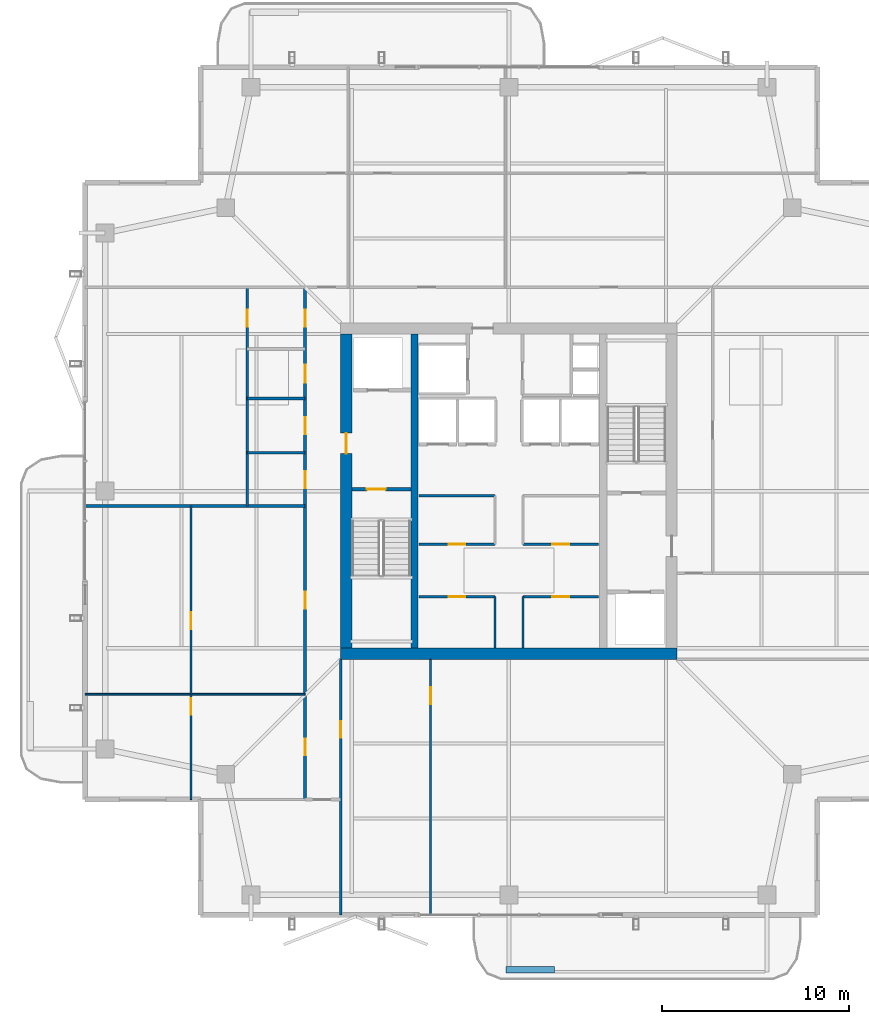
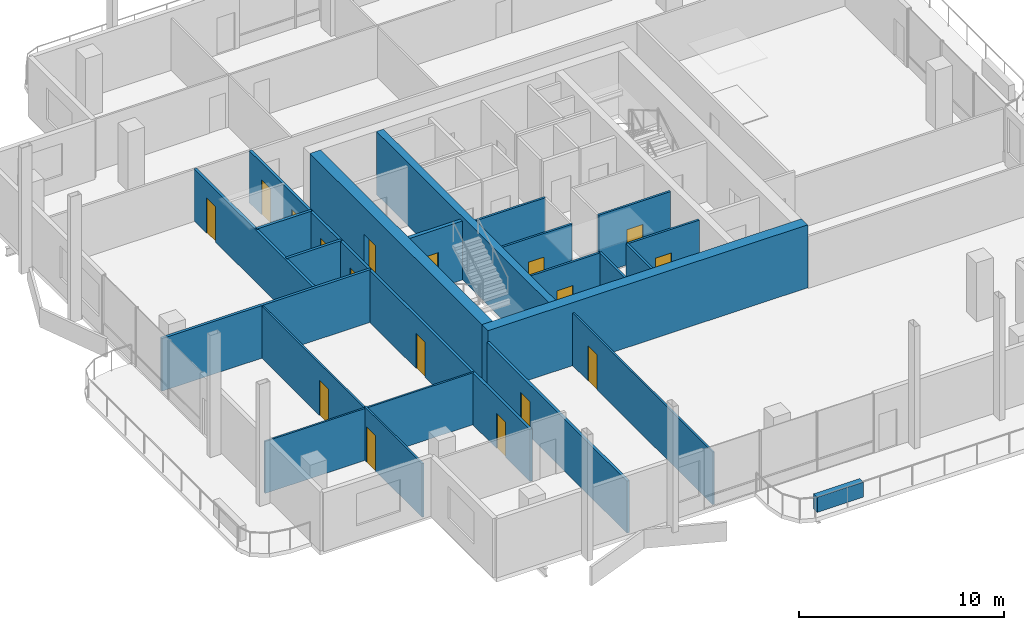
# One storey, part 14 of 20: 22 walls, 17 doors, 17 openings.
"""IFC4 building model written with IfcOpenShell, lengths in metres."""

from ifc_helpers import new_model, si_unit, direction, frame, frame_2d, origin, place, context, subcontext, project, spatial, rectangle, extrude, material, layer, layer_set, type_object, element, fill, save


model = new_model("IFC4")

# Units and contexts
model_context = context("Model", 3, precision=1e-05, world=origin(), true_north=direction((0.0, 1.0)))
body_context = subcontext(model_context, "Body", "Model", "MODEL_VIEW")
ifc_project = project(units=[si_unit("LENGTHUNIT", "METRE"), si_unit("AREAUNIT", "SQUARE_METRE"), si_unit("VOLUMEUNIT", "CUBIC_METRE"), si_unit("PLANEANGLEUNIT", "RADIAN"), si_unit("MASSUNIT", "GRAM", prefix="KILO")], contexts=[model_context])

# Site, building, storey
site_placement = place(None, origin())
site = spatial("IfcSite", under=ifc_project, at=site_placement, CompositionType="ELEMENT")
building_placement = place(site_placement, origin())
building = spatial("IfcBuilding", under=site, at=building_placement, Name="Belovzor Exchange Tower", CompositionType="ELEMENT")
storey_placement = place(building_placement, frame((0.0, 0.0, 299.25)))
storey = spatial("IfcBuildingStorey", under=building, at=storey_placement, Name="L74", CompositionType="ELEMENT", Elevation=299.25)

# Wall, opening, door
ifc_material_1 = material(Name="Acoustic Laminated Glass and Aluminium", Category="aluminium")
ifc_layer_1 = layer(ifc_material_1, 0.10009765625)
ifc_layer_set_1 = layer_set([ifc_layer_1], Name="Acoustic Laminated Glass and Aluminium")
wall_type_1 = type_object("IfcWallType", Name="Demountable Executive Glass Partition 100", PredefinedType="MOVABLE", material=ifc_layer_set_1)
wall_1_placement = place(storey_placement, frame((11.797119140625, 12.300048828125, 0.0), z_axis=(0.0, 0.0, 1.0), x_axis=(0.0, 1.0, 0.0)))
wall_1 = element("IfcWall", 1, at=wall_1_placement, inside=storey, type_object=wall_type_1, Name="W-M100 Partition Wall W-L74-WHDIV-0", PredefinedType="MOVABLE", context=body_context, shape_type="SweptSolid", body=[
    extrude(rectangle(XDim=5.6298828125, YDim=0.10009765625, at=frame_2d((2.81494140625, 0.0))), origin(), (0.0, 0.0, 1.0), 3.195068359375),
])
opening_1_placement = place(wall_1_placement, frame((4.530029296875, 0.0, 0.0)))
opening_1 = element("IfcOpeningElement", 2, at=opening_1_placement, cuts=wall_1, Name="Opening D-INT-090", PredefinedType="OPENING", context=body_context, shape_type="SweptSolid", body=[
    extrude(rectangle(XDim=0.89990234375, YDim=2.10009765625, at=frame_2d((0.449951171875, 1.050048828125))), frame((0.0, 0.06005859375, 0.0), z_axis=(0.0, -1.0, 0.0), x_axis=(1.0, 0.0, 0.0)), (0.0, 0.0, 1.0), 0.1201171875),
])
ifc_material_2 = material(Name="Veneered Hardwood Acoustic Leaf", Category="wood")
door_type_1 = type_object("IfcDoorType", Name="Trading Suite Acoustic Single Door 900x2100", OperationType="NOTDEFINED", PredefinedType="DOOR", material=ifc_material_2)
door_1_placement = place(opening_1_placement, origin())
door_1 = element("IfcDoor", 3, at=door_1_placement, inside=storey, type_object=door_type_1, Name="D-INT-090 Trading Suite Acoustic Single Door 900x2100", OperationType="SINGLE_SWING_LEFT", OverallHeight=2.10009765625, OverallWidth=0.89990234375, PredefinedType="DOOR", context=body_context, shape_type="SweptSolid", body=[
    extrude(rectangle(XDim=0.89990234375, YDim=2.10009765625, at=frame_2d((0.449951171875, 1.050048828125))), frame((0.0, 0.02490234375, 0.0), z_axis=(0.0, -1.0, 0.0), x_axis=(1.0, 0.0, 0.0)), (0.0, 0.0, 1.0), 0.050048828125),
])
fill(opening_1, door_1)

# Wall
wall_2_placement = place(storey_placement, frame((6.1298828125, 17.929931640625, 0.0), z_axis=(0.0, 0.0, 1.0), x_axis=(1.0, 0.0, 0.0)))
element("IfcWall", 4, at=wall_2_placement, inside=storey, type_object=wall_type_1, Name="W-M100 Partition Wall W-L74-WDIV-1", PredefinedType="MOVABLE", context=body_context, shape_type="SweptSolid", body=[
    extrude(rectangle(XDim=11.77001953125, YDim=0.10009765625, at=frame_2d((5.885009765625, 0.0))), origin(), (0.0, 0.0, 1.0), 3.094970703125),
])

# Wall, opening, door
wall_3_placement = place(storey_placement, frame((11.797119140625, 17.929931640625, 0.0), z_axis=(0.0, 0.0, 1.0), x_axis=(0.0, 1.0, 0.0)))
wall_3 = element("IfcWall", 5, at=wall_3_placement, inside=storey, type_object=wall_type_1, Name="W-M100 Partition Wall W-L74-WHDIV-1", PredefinedType="MOVABLE", context=body_context, shape_type="SweptSolid", body=[
    extrude(rectangle(XDim=10.070068359375, YDim=0.10009765625, at=frame_2d((5.03515625, 0.0))), origin(), (0.0, 0.0, 1.0), 3.094970703125),
])
opening_2_placement = place(wall_3_placement, frame((3.489013671875, 0.0, 0.0)))
opening_2 = element("IfcOpeningElement", 6, at=opening_2_placement, cuts=wall_3, Name="Opening D-INT-090", PredefinedType="OPENING", context=body_context, shape_type="SweptSolid", body=[
    extrude(rectangle(XDim=0.89990234375, YDim=2.10009765625, at=frame_2d((0.449951171875, 1.050048828125))), frame((0.0, 0.06005859375, 0.0), z_axis=(0.0, -1.0, 0.0), x_axis=(1.0, 0.0, 0.0)), (0.0, 0.0, 1.0), 0.1201171875),
])
door_2_placement = place(opening_2_placement, origin())
door_2 = element("IfcDoor", 7, at=door_2_placement, inside=storey, type_object=door_type_1, Name="D-INT-090 Trading Suite Acoustic Single Door 900x2100", OperationType="SINGLE_SWING_LEFT", OverallHeight=2.10009765625, OverallWidth=0.89990234375, PredefinedType="DOOR", context=body_context, shape_type="SweptSolid", body=[
    extrude(rectangle(XDim=0.89990234375, YDim=2.10009765625, at=frame_2d((0.449951171875, 1.050048828125))), frame((0.0, 0.02490234375, 0.0), z_axis=(0.0, -1.0, 0.0), x_axis=(1.0, 0.0, 0.0)), (0.0, 0.0, 1.0), 0.050048828125),
])
fill(opening_2, door_2)

wall_4_placement = place(storey_placement, frame((24.60791015625, 6.1298828125, 0.0), z_axis=(0.0, 0.0, 1.0), x_axis=(0.0, 1.0, 0.0)))
wall_4 = element("IfcWall", 8, at=wall_4_placement, inside=storey, type_object=wall_type_1, Name="W-M100 Partition Wall W-L74-SDIV-1", PredefinedType="MOVABLE", context=body_context, shape_type="SweptSolid", body=[
    extrude(rectangle(XDim=13.670166015625, YDim=0.10009765625, at=frame_2d((6.8349609375, 0.0))), origin(), (0.0, 0.0, 1.0), 3.135009765625),
])
opening_3_placement = place(wall_4_placement, frame((11.27001953125, 0.0, 0.0)))
opening_3 = element("IfcOpeningElement", 9, at=opening_3_placement, cuts=wall_4, Name="Opening D-INT-090", PredefinedType="OPENING", context=body_context, shape_type="SweptSolid", body=[
    extrude(rectangle(XDim=0.89990234375, YDim=2.10009765625, at=frame_2d((0.449951171875, 1.050048828125))), frame((0.0, 0.06005859375, 0.0), z_axis=(0.0, -1.0, 0.0), x_axis=(1.0, 0.0, 0.0)), (0.0, 0.0, 1.0), 0.1201171875),
])
door_3_placement = place(opening_3_placement, origin())
door_3 = element("IfcDoor", 10, at=door_3_placement, inside=storey, type_object=door_type_1, Name="D-INT-090 Trading Suite Acoustic Single Door 900x2100", OperationType="SINGLE_SWING_LEFT", OverallHeight=2.10009765625, OverallWidth=0.89990234375, PredefinedType="DOOR", context=body_context, shape_type="SweptSolid", body=[
    extrude(rectangle(XDim=0.89990234375, YDim=2.10009765625, at=frame_2d((0.449951171875, 1.050048828125))), frame((0.0, 0.02490234375, 0.0), z_axis=(0.0, -1.0, 0.0), x_axis=(1.0, 0.0, 0.0)), (0.0, 0.0, 1.0), 0.050048828125),
])
fill(opening_3, door_3)

ifc_material_3 = material(Name="Fire-Rated Plasterboard on Galvanised Studs", Category="gypsum")
ifc_layer_2 = layer(ifc_material_3, 0.1201171875)
ifc_layer_set_2 = layer_set([ifc_layer_2], Name="Fire-Rated Plasterboard on Galvanised Studs")
wall_type_2 = type_object("IfcWallType", Name="Fire-Rated Double-Stud Partition Wall 120", PredefinedType="PARTITIONING", material=ifc_layer_set_2)
wall_5_placement = place(storey_placement, frame((24.0, 23.14990234375, 0.0), z_axis=(0.0, 0.0, 1.0), x_axis=(1.0, 0.0, 0.0)))
wall_5 = element("IfcWall", 11, at=wall_5_placement, inside=storey, type_object=wall_type_2, Name="W-P120F Partition Wall W-CRL-L74-WN", PredefinedType="PARTITIONING", context=body_context, shape_type="SweptSolid", body=[
    extrude(rectangle(XDim=4.050048828125, YDim=0.1201171875, at=frame_2d((2.02490234375, 0.0))), origin(), (0.0, 0.0, 1.0), 3.510009765625),
])
opening_4_placement = place(wall_5_placement, frame((1.574951171875, 0.0, 0.0)))
opening_4 = element("IfcOpeningElement", 12, at=opening_4_placement, cuts=wall_5, Name="Opening D-FD60-090", PredefinedType="OPENING", context=body_context, shape_type="SweptSolid", body=[
    extrude(rectangle(XDim=0.89990234375, YDim=2.10009765625, at=frame_2d((0.449951171875, 1.050048828125))), frame((0.0, 0.070068359375, 0.0), z_axis=(0.0, -1.0, 0.0), x_axis=(1.0, 0.0, 0.0)), (0.0, 0.0, 1.0), 0.14013671875),
])
ifc_material_4 = material(Name="Acoustic Timber Fire Leaf", Category="wood")
door_type_2 = type_object("IfcDoorType", Name="Core Service & Restroom Fire Door 900x2100", OperationType="NOTDEFINED", PredefinedType="DOOR", material=ifc_material_4)
door_4_placement = place(opening_4_placement, origin())
door_4 = element("IfcDoor", 13, at=door_4_placement, inside=storey, type_object=door_type_2, Name="D-FD60-090 Core Service & Restroom Fire Door 900x2100", OperationType="SINGLE_SWING_LEFT", OverallHeight=2.10009765625, OverallWidth=0.89990234375, PredefinedType="DOOR", context=body_context, shape_type="SweptSolid", body=[
    extrude(rectangle(XDim=0.89990234375, YDim=2.10009765625, at=frame_2d((0.449951171875, 1.050048828125))), frame((0.0, 0.02490234375, 0.0), z_axis=(0.0, -1.0, 0.0), x_axis=(1.0, 0.0, 0.0)), (0.0, 0.0, 1.0), 0.050048828125),
])
fill(opening_4, door_4)

# Wall
wall_6_placement = place(storey_placement, frame((28.050048828125, 20.39990234375, 0.0), z_axis=(0.0, 0.0, 1.0), x_axis=(0.0, 1.0, 0.0)))
element("IfcWall", 14, at=wall_6_placement, inside=storey, type_object=wall_type_2, Name="W-P120F Partition Wall W-CRL-L74-WE", PredefinedType="PARTITIONING", context=body_context, shape_type="SweptSolid", body=[
    extrude(rectangle(XDim=2.75, YDim=0.1201171875, at=frame_2d((1.375, 0.0))), origin(), (0.0, 0.0, 1.0), 3.510009765625),
])

# Wall, opening, door
wall_7_placement = place(storey_placement, frame((29.550048828125, 23.14990234375, 0.0), z_axis=(0.0, 0.0, 1.0), x_axis=(1.0, 0.0, 0.0)))
wall_7 = element("IfcWall", 15, at=wall_7_placement, inside=storey, type_object=wall_type_2, Name="W-P120F Partition Wall W-CRL-L74-EN", PredefinedType="PARTITIONING", context=body_context, shape_type="SweptSolid", body=[
    extrude(rectangle(XDim=4.050048828125, YDim=0.1201171875, at=frame_2d((2.02490234375, 0.0))), origin(), (0.0, 0.0, 1.0), 3.510009765625),
])
opening_5_placement = place(wall_7_placement, frame((1.574951171875, 0.0, 0.0)))
opening_5 = element("IfcOpeningElement", 16, at=opening_5_placement, cuts=wall_7, Name="Opening D-FD60-090", PredefinedType="OPENING", context=body_context, shape_type="SweptSolid", body=[
    extrude(rectangle(XDim=0.89990234375, YDim=2.10009765625, at=frame_2d((0.449951171875, 1.050048828125))), frame((0.0, 0.070068359375, 0.0), z_axis=(0.0, -1.0, 0.0), x_axis=(1.0, 0.0, 0.0)), (0.0, 0.0, 1.0), 0.14013671875),
])
door_5_placement = place(opening_5_placement, origin())
door_5 = element("IfcDoor", 17, at=door_5_placement, inside=storey, type_object=door_type_2, Name="D-FD60-090 Core Service & Restroom Fire Door 900x2100", OperationType="SINGLE_SWING_RIGHT", OverallHeight=2.10009765625, OverallWidth=0.89990234375, PredefinedType="DOOR", context=body_context, shape_type="SweptSolid", body=[
    extrude(rectangle(XDim=0.89990234375, YDim=2.10009765625, at=frame_2d((0.449951171875, 1.050048828125))), frame((0.0, 0.02490234375, 0.0), z_axis=(0.0, -1.0, 0.0), x_axis=(1.0, 0.0, 0.0)), (0.0, 0.0, 1.0), 0.050048828125),
])
fill(opening_5, door_5)

# Wall
wall_8_placement = place(storey_placement, frame((29.550048828125, 20.39990234375, 0.0), z_axis=(0.0, 0.0, 1.0), x_axis=(0.0, 1.0, 0.0)))
element("IfcWall", 18, at=wall_8_placement, inside=storey, type_object=wall_type_2, Name="W-P120F Partition Wall W-CRL-L74-EW", PredefinedType="PARTITIONING", context=body_context, shape_type="SweptSolid", body=[
    extrude(rectangle(XDim=2.75, YDim=0.1201171875, at=frame_2d((1.375, 0.0))), origin(), (0.0, 0.0, 1.0), 3.510009765625),
])

# Wall, opening, door
wall_9_placement = place(storey_placement, frame((24.0, 25.949951171875, 0.0), z_axis=(0.0, 0.0, 1.0), x_axis=(1.0, 0.0, 0.0)))
wall_9 = element("IfcWall", 19, at=wall_9_placement, inside=storey, type_object=wall_type_2, Name="W-P120F Partition Wall W-CRM-L74-WS", PredefinedType="PARTITIONING", context=body_context, shape_type="SweptSolid", body=[
    extrude(rectangle(XDim=4.050048828125, YDim=0.1201171875, at=frame_2d((2.02490234375, 0.0))), origin(), (0.0, 0.0, 1.0), 3.510009765625),
])
opening_6_placement = place(wall_9_placement, frame((1.574951171875, 0.0, 0.0)))
opening_6 = element("IfcOpeningElement", 20, at=opening_6_placement, cuts=wall_9, Name="Opening D-FD60-090", PredefinedType="OPENING", context=body_context, shape_type="SweptSolid", body=[
    extrude(rectangle(XDim=0.89990234375, YDim=2.10009765625, at=frame_2d((0.449951171875, 1.050048828125))), frame((0.0, 0.070068359375, 0.0), z_axis=(0.0, -1.0, 0.0), x_axis=(1.0, 0.0, 0.0)), (0.0, 0.0, 1.0), 0.14013671875),
])
door_6_placement = place(opening_6_placement, origin())
door_6 = element("IfcDoor", 21, at=door_6_placement, inside=storey, type_object=door_type_2, Name="D-FD60-090 Core Service & Restroom Fire Door 900x2100", OperationType="SINGLE_SWING_LEFT", OverallHeight=2.10009765625, OverallWidth=0.89990234375, PredefinedType="DOOR", context=body_context, shape_type="SweptSolid", body=[
    extrude(rectangle(XDim=0.89990234375, YDim=2.10009765625, at=frame_2d((0.449951171875, 1.050048828125))), frame((0.0, 0.02490234375, 0.0), z_axis=(0.0, -1.0, 0.0), x_axis=(1.0, 0.0, 0.0)), (0.0, 0.0, 1.0), 0.050048828125),
])
fill(opening_6, door_6)

# Wall
wall_10_placement = place(storey_placement, frame((24.0, 28.550048828125, 0.0), z_axis=(0.0, 0.0, 1.0), x_axis=(1.0, 0.0, 0.0)))
element("IfcWall", 22, at=wall_10_placement, inside=storey, type_object=wall_type_2, Name="W-P120F Partition Wall W-CRM-L74-WN", PredefinedType="PARTITIONING", context=body_context, shape_type="SweptSolid", body=[
    extrude(rectangle(XDim=4.050048828125, YDim=0.1201171875, at=frame_2d((2.02490234375, 0.0))), origin(), (0.0, 0.0, 1.0), 3.510009765625),
])

# Wall, opening, door
wall_11_placement = place(storey_placement, frame((29.550048828125, 25.949951171875, 0.0), z_axis=(0.0, 0.0, 1.0), x_axis=(1.0, 0.0, 0.0)))
wall_11 = element("IfcWall", 23, at=wall_11_placement, inside=storey, type_object=wall_type_2, Name="W-P120F Partition Wall W-CRM-L74-ES", PredefinedType="PARTITIONING", context=body_context, shape_type="SweptSolid", body=[
    extrude(rectangle(XDim=4.050048828125, YDim=0.1201171875, at=frame_2d((2.02490234375, 0.0))), origin(), (0.0, 0.0, 1.0), 3.510009765625),
])
opening_7_placement = place(wall_11_placement, frame((1.574951171875, 0.0, 0.0)))
opening_7 = element("IfcOpeningElement", 24, at=opening_7_placement, cuts=wall_11, Name="Opening D-FD60-090", PredefinedType="OPENING", context=body_context, shape_type="SweptSolid", body=[
    extrude(rectangle(XDim=0.89990234375, YDim=2.10009765625, at=frame_2d((0.449951171875, 1.050048828125))), frame((0.0, 0.070068359375, 0.0), z_axis=(0.0, -1.0, 0.0), x_axis=(1.0, 0.0, 0.0)), (0.0, 0.0, 1.0), 0.14013671875),
])
door_7_placement = place(opening_7_placement, origin())
door_7 = element("IfcDoor", 25, at=door_7_placement, inside=storey, type_object=door_type_2, Name="D-FD60-090 Core Service & Restroom Fire Door 900x2100", OperationType="SINGLE_SWING_RIGHT", OverallHeight=2.10009765625, OverallWidth=0.89990234375, PredefinedType="DOOR", context=body_context, shape_type="SweptSolid", body=[
    extrude(rectangle(XDim=0.89990234375, YDim=2.10009765625, at=frame_2d((0.449951171875, 1.050048828125))), frame((0.0, 0.02490234375, 0.0), z_axis=(0.0, -1.0, 0.0), x_axis=(1.0, 0.0, 0.0)), (0.0, 0.0, 1.0), 0.050048828125),
])
fill(opening_7, door_7)

ifc_material_5 = material(Name="Fire-Rated Gypsum Block and Mineral Wool", Category="gypsum")
ifc_layer_3 = layer(ifc_material_5, 0.14990234375)
ifc_layer_set_3 = layer_set([ifc_layer_3], Name="Fire-Rated Gypsum Block and Mineral Wool")
wall_type_3 = type_object("IfcWallType", Name="Fire-Rated Gypsum Block Corridor Wall 150", PredefinedType="PARTITIONING", material=ifc_layer_set_3)
wall_12_placement = place(storey_placement, frame((14.800048828125, 28.0, 0.0), z_axis=(0.0, 0.0, 1.0), x_axis=(0.0, 1.0, 0.0)))
wall_12 = element("IfcWall", 26, at=wall_12_placement, inside=storey, type_object=wall_type_3, Name="W-P150 Partition Wall W-L74-WCW", PredefinedType="PARTITIONING", context=body_context, shape_type="SweptSolid", body=[
    extrude(rectangle(XDim=11.699951171875, YDim=0.14990234375, at=frame_2d((5.85009765625, 0.0))), origin(), (0.0, 0.0, 1.0), 3.094970703125),
])
opening_8_placement = place(wall_12_placement, frame((9.60009765625, 0.0, 0.0)))
opening_8 = element("IfcOpeningElement", 27, at=opening_8_placement, cuts=wall_12, Name="Opening D-INT-090", PredefinedType="OPENING", context=body_context, shape_type="SweptSolid", body=[
    extrude(rectangle(XDim=0.89990234375, YDim=2.10009765625, at=frame_2d((0.449951171875, 1.050048828125))), frame((0.0, 0.0849609375, 0.0), z_axis=(0.0, -1.0, 0.0), x_axis=(1.0, 0.0, 0.0)), (0.0, 0.0, 1.0), 0.169921875),
])
door_8_placement = place(opening_8_placement, origin())
door_8 = element("IfcDoor", 28, at=door_8_placement, inside=storey, type_object=door_type_1, Name="D-INT-090 Trading Suite Acoustic Single Door 900x2100", OperationType="SINGLE_SWING_LEFT", OverallHeight=2.10009765625, OverallWidth=0.89990234375, PredefinedType="DOOR", context=body_context, shape_type="SweptSolid", body=[
    extrude(rectangle(XDim=0.89990234375, YDim=2.10009765625, at=frame_2d((0.449951171875, 1.050048828125))), frame((0.0, 0.02490234375, 0.0), z_axis=(0.0, -1.0, 0.0), x_axis=(1.0, 0.0, 0.0)), (0.0, 0.0, 1.0), 0.050048828125),
])
fill(opening_8, door_8)

# Walls
wall_13_placement = place(storey_placement, frame((6.1298828125, 28.0, 0.0), z_axis=(0.0, 0.0, 1.0), x_axis=(1.0, 0.0, 0.0)))
element("IfcWall", 29, at=wall_13_placement, inside=storey, type_object=wall_type_3, Name="W-P150 Partition Wall W-L74-WCS", PredefinedType="PARTITIONING", context=body_context, shape_type="SweptSolid", body=[
    extrude(rectangle(XDim=11.77001953125, YDim=0.14990234375, at=frame_2d((5.885009765625, 0.0))), origin(), (0.0, 0.0, 1.0), 3.135009765625),
])
for number, where, z_axis, x_axis, name in (
    (30, (14.800048828125, 30.85009765625, 0.0), (0.0, 0.0, 1.0), (1.0, 0.0, 0.0), "W-P150 Partition Wall W-L74-WCD1"),
    (31, (14.800048828125, 33.75, 0.0), (0.0, 0.0, 1.0), (1.0, 0.0, 0.0), "W-P150 Partition Wall W-L74-WCD2"),
):
    element("IfcWall", number, at=place(storey_placement, frame(where, z_axis=z_axis, x_axis=x_axis)), inside=storey, type_object=wall_type_3, Name=name, PredefinedType="PARTITIONING", context=body_context, shape_type="SweptSolid", body=[
        extrude(rectangle(XDim=3.099853515625, YDim=0.14990234375, at=frame_2d((1.5498046875, 0.0))), origin(), (0.0, 0.0, 1.0), 3.135009765625),
    ])

# Wall, opening, door
wall_14_placement = place(storey_placement, frame((19.800048828125, 6.1298828125, 0.0), z_axis=(0.0, 0.0, 1.0), x_axis=(0.0, 1.0, 0.0)))
wall_14 = element("IfcWall", 32, at=wall_14_placement, inside=storey, type_object=wall_type_3, Name="W-P150 Partition Wall W-L74-CW-E", PredefinedType="PARTITIONING", context=body_context, shape_type="SweptSolid", body=[
    extrude(rectangle(XDim=13.670166015625, YDim=0.14990234375, at=frame_2d((6.8349609375, 0.0))), origin(), (0.0, 0.0, 1.0), 3.094970703125),
])
opening_9_placement = place(wall_14_placement, frame((9.469970703125, 0.0, 0.0)))
opening_9 = element("IfcOpeningElement", 33, at=opening_9_placement, cuts=wall_14, Name="Opening D-FD60-090", PredefinedType="OPENING", context=body_context, shape_type="SweptSolid", body=[
    extrude(rectangle(XDim=0.89990234375, YDim=2.10009765625, at=frame_2d((0.449951171875, 1.050048828125))), frame((0.0, 0.0849609375, 0.0), z_axis=(0.0, -1.0, 0.0), x_axis=(1.0, 0.0, 0.0)), (0.0, 0.0, 1.0), 0.169921875),
])
door_9_placement = place(opening_9_placement, origin())
door_9 = element("IfcDoor", 34, at=door_9_placement, inside=storey, type_object=door_type_2, Name="D-FD60-090 Core Service & Restroom Fire Door 900x2100", OperationType="SINGLE_SWING_RIGHT", OverallHeight=2.10009765625, OverallWidth=0.89990234375, PredefinedType="DOOR", context=body_context, shape_type="SweptSolid", body=[
    extrude(rectangle(XDim=0.89990234375, YDim=2.10009765625, at=frame_2d((0.449951171875, 1.050048828125))), frame((0.0, 0.02490234375, 0.0), z_axis=(0.0, -1.0, 0.0), x_axis=(1.0, 0.0, 0.0)), (0.0, 0.0, 1.0), 0.050048828125),
])
fill(opening_9, door_9)

# Wall, openings, doors
wall_15_placement = place(storey_placement, frame((17.89990234375, 12.300048828125, 0.0), z_axis=(0.0, 0.0, 1.0), x_axis=(0.0, 1.0, 0.0)))
wall_15 = element("IfcWall", 35, at=wall_15_placement, inside=storey, type_object=wall_type_3, Name="W-P150 Partition Wall W-L74-CW", PredefinedType="PARTITIONING", context=body_context, shape_type="SweptSolid", body=[
    extrude(rectangle(XDim=27.39990234375, YDim=0.14990234375, at=frame_2d((13.699951171875, 0.0))), origin(), (0.0, 0.0, 1.0), 3.094970703125),
])
opening_10_placement = place(wall_15_placement, frame((2.364990234375, 0.0, 0.0)))
opening_10 = element("IfcOpeningElement", 36, at=opening_10_placement, cuts=wall_15, Name="Opening D-INT-090", PredefinedType="OPENING", context=body_context, shape_type="SweptSolid", body=[
    extrude(rectangle(XDim=0.89990234375, YDim=2.10009765625, at=frame_2d((0.449951171875, 1.050048828125))), frame((0.0, 0.0849609375, 0.0), z_axis=(0.0, -1.0, 0.0), x_axis=(1.0, 0.0, 0.0)), (0.0, 0.0, 1.0), 0.169921875),
])
opening_11_placement = place(wall_15_placement, frame((10.215087890625, 0.0, 0.0)))
opening_11 = element("IfcOpeningElement", 37, at=opening_11_placement, cuts=wall_15, Name="Opening D-INT-090", PredefinedType="OPENING", context=body_context, shape_type="SweptSolid", body=[
    extrude(rectangle(XDim=0.89990234375, YDim=2.10009765625, at=frame_2d((0.449951171875, 1.050048828125))), frame((0.0, 0.0849609375, 0.0), z_axis=(0.0, -1.0, 0.0), x_axis=(1.0, 0.0, 0.0)), (0.0, 0.0, 1.0), 0.169921875),
])
opening_12_placement = place(wall_15_placement, frame((16.64990234375, 0.0, 0.0)))
opening_12 = element("IfcOpeningElement", 38, at=opening_12_placement, cuts=wall_15, Name="Opening D-FD60-090", PredefinedType="OPENING", context=body_context, shape_type="SweptSolid", body=[
    extrude(rectangle(XDim=0.89990234375, YDim=2.10009765625, at=frame_2d((0.449951171875, 1.050048828125))), frame((0.0, 0.0849609375, 0.0), z_axis=(0.0, -1.0, 0.0), x_axis=(1.0, 0.0, 0.0)), (0.0, 0.0, 1.0), 0.169921875),
])
opening_13_placement = place(wall_15_placement, frame((19.550048828125, 0.0, 0.0)))
opening_13 = element("IfcOpeningElement", 39, at=opening_13_placement, cuts=wall_15, Name="Opening D-FD60-090", PredefinedType="OPENING", context=body_context, shape_type="SweptSolid", body=[
    extrude(rectangle(XDim=0.89990234375, YDim=2.10009765625, at=frame_2d((0.449951171875, 1.050048828125))), frame((0.0, 0.0849609375, 0.0), z_axis=(0.0, -1.0, 0.0), x_axis=(1.0, 0.0, 0.0)), (0.0, 0.0, 1.0), 0.169921875),
])
opening_14_placement = place(wall_15_placement, frame((22.300048828125, 0.0, 0.0)))
opening_14 = element("IfcOpeningElement", 40, at=opening_14_placement, cuts=wall_15, Name="Opening D-FD60-095", PredefinedType="OPENING", context=body_context, shape_type="SweptSolid", body=[
    extrude(rectangle(XDim=0.949951171875, YDim=2.10009765625, at=frame_2d((0.47509765625, 1.050048828125))), frame((0.0, 0.0849609375, 0.0), z_axis=(0.0, -1.0, 0.0), x_axis=(1.0, 0.0, 0.0)), (0.0, 0.0, 1.0), 0.169921875),
])
opening_15_placement = place(wall_15_placement, frame((25.300048828125, 0.0, 0.0)))
opening_15 = element("IfcOpeningElement", 41, at=opening_15_placement, cuts=wall_15, Name="Opening D-FD60-090", PredefinedType="OPENING", context=body_context, shape_type="SweptSolid", body=[
    extrude(rectangle(XDim=0.89990234375, YDim=2.10009765625, at=frame_2d((0.449951171875, 1.050048828125))), frame((0.0, 0.0849609375, 0.0), z_axis=(0.0, -1.0, 0.0), x_axis=(1.0, 0.0, 0.0)), (0.0, 0.0, 1.0), 0.169921875),
])
ifc_material_6 = material(Name="Moisture-Resistant Timber Fire Leaf", Category="wood")
door_type_3 = type_object("IfcDoorType", Name="Accessible Restroom Wide Fire Door 950x2100", OperationType="NOTDEFINED", PredefinedType="DOOR", material=ifc_material_6)
door_10_placement = place(opening_14_placement, origin())
door_10 = element("IfcDoor", 42, at=door_10_placement, inside=storey, type_object=door_type_3, Name="D-FD60-095 Accessible Restroom Wide Fire Door 950x2100", OperationType="SINGLE_SWING_LEFT", OverallHeight=2.10009765625, OverallWidth=0.949951171875, PredefinedType="DOOR", context=body_context, shape_type="SweptSolid", body=[
    extrude(rectangle(XDim=0.949951171875, YDim=2.10009765625, at=frame_2d((0.47509765625, 1.050048828125))), frame((0.0, 0.02490234375, 0.0), z_axis=(0.0, -1.0, 0.0), x_axis=(1.0, 0.0, 0.0)), (0.0, 0.0, 1.0), 0.050048828125),
])
fill(opening_14, door_10)
door_11_placement = place(opening_12_placement, origin())
door_11 = element("IfcDoor", 43, at=door_11_placement, inside=storey, type_object=door_type_2, Name="D-FD60-090 Core Service & Restroom Fire Door 900x2100", OperationType="SINGLE_SWING_LEFT", OverallHeight=2.10009765625, OverallWidth=0.89990234375, PredefinedType="DOOR", context=body_context, shape_type="SweptSolid", body=[
    extrude(rectangle(XDim=0.89990234375, YDim=2.10009765625, at=frame_2d((0.449951171875, 1.050048828125))), frame((0.0, 0.02490234375, 0.0), z_axis=(0.0, -1.0, 0.0), x_axis=(1.0, 0.0, 0.0)), (0.0, 0.0, 1.0), 0.050048828125),
])
fill(opening_12, door_11)
door_12_placement = place(opening_13_placement, origin())
door_12 = element("IfcDoor", 44, at=door_12_placement, inside=storey, type_object=door_type_2, Name="D-FD60-090 Core Service & Restroom Fire Door 900x2100", OperationType="SINGLE_SWING_RIGHT", OverallHeight=2.10009765625, OverallWidth=0.89990234375, PredefinedType="DOOR", context=body_context, shape_type="SweptSolid", body=[
    extrude(rectangle(XDim=0.89990234375, YDim=2.10009765625, at=frame_2d((0.449951171875, 1.050048828125))), frame((0.0, 0.02490234375, 0.0), z_axis=(0.0, -1.0, 0.0), x_axis=(1.0, 0.0, 0.0)), (0.0, 0.0, 1.0), 0.050048828125),
])
fill(opening_13, door_12)
door_13_placement = place(opening_15_placement, origin())
door_13 = element("IfcDoor", 45, at=door_13_placement, inside=storey, type_object=door_type_2, Name="D-FD60-090 Core Service & Restroom Fire Door 900x2100", OperationType="SINGLE_SWING_LEFT", OverallHeight=2.10009765625, OverallWidth=0.89990234375, PredefinedType="DOOR", context=body_context, shape_type="SweptSolid", body=[
    extrude(rectangle(XDim=0.89990234375, YDim=2.10009765625, at=frame_2d((0.449951171875, 1.050048828125))), frame((0.0, 0.02490234375, 0.0), z_axis=(0.0, -1.0, 0.0), x_axis=(1.0, 0.0, 0.0)), (0.0, 0.0, 1.0), 0.050048828125),
])
fill(opening_15, door_13)
door_14_placement = place(opening_10_placement, origin())
door_14 = element("IfcDoor", 46, at=door_14_placement, inside=storey, type_object=door_type_1, Name="D-INT-090 Trading Suite Acoustic Single Door 900x2100", OperationType="SINGLE_SWING_LEFT", OverallHeight=2.10009765625, OverallWidth=0.89990234375, PredefinedType="DOOR", context=body_context, shape_type="SweptSolid", body=[
    extrude(rectangle(XDim=0.89990234375, YDim=2.10009765625, at=frame_2d((0.449951171875, 1.050048828125))), frame((0.0, 0.02490234375, 0.0), z_axis=(0.0, -1.0, 0.0), x_axis=(1.0, 0.0, 0.0)), (0.0, 0.0, 1.0), 0.050048828125),
])
fill(opening_10, door_14)
door_15_placement = place(opening_11_placement, origin())
door_15 = element("IfcDoor", 47, at=door_15_placement, inside=storey, type_object=door_type_1, Name="D-INT-090 Trading Suite Acoustic Single Door 900x2100", OperationType="SINGLE_SWING_RIGHT", OverallHeight=2.10009765625, OverallWidth=0.89990234375, PredefinedType="DOOR", context=body_context, shape_type="SweptSolid", body=[
    extrude(rectangle(XDim=0.89990234375, YDim=2.10009765625, at=frame_2d((0.449951171875, 1.050048828125))), frame((0.0, 0.02490234375, 0.0), z_axis=(0.0, -1.0, 0.0), x_axis=(1.0, 0.0, 0.0)), (0.0, 0.0, 1.0), 0.050048828125),
])
fill(opening_11, door_15)

# Walls
ifc_material_7 = material(Name="Precast concrete C40/50", Category="concrete")
ifc_layer_4 = layer(ifc_material_7, 0.35009765625)
ifc_layer_set_4 = layer_set([ifc_layer_4], Name="Precast concrete C40/50")
wall_type_4 = type_object("IfcWallType", Name="Precast Concrete Structural Tree Planter Trough 350", PredefinedType="PARAPET", material=ifc_layer_set_4)
wall_16_placement = place(storey_placement, frame((28.64990234375, 3.199951171875, 0.0), z_axis=(0.0, 0.0, 1.0), x_axis=(1.0, 0.0, 0.0)))
element("IfcWall", 48, at=wall_16_placement, inside=storey, type_object=wall_type_4, Name="PT-350 Precast Concrete Structural Tree Planter Trough 350 L74", PredefinedType="PARAPET", context=body_context, shape_type="SweptSolid", body=[
    extrude(rectangle(XDim=2.60009765625, YDim=0.35009765625, at=frame_2d((1.300048828125, 0.0))), origin(), (0.0, 0.0, 1.0), 0.89990234375),
])
ifc_material_8 = material(Name="Concrete C50/60", Category="concrete")
ifc_layer_5 = layer(ifc_material_8, 0.39990234375)
ifc_layer_set_5 = layer_set([ifc_layer_5], Name="Concrete C50/60")
wall_type_5 = type_object("IfcWallType", Name="Reinforced Concrete Core Internal Web Wall 400", PredefinedType="SHEAR", material=ifc_layer_set_5)
wall_17_placement = place(storey_placement, frame((23.75, 20.39990234375, 0.0), z_axis=(0.0, 0.0, 1.0), x_axis=(0.0, 1.0, 0.0)))
element("IfcWall", 49, at=wall_17_placement, inside=storey, type_object=wall_type_5, Name="CW-W040 Core Internal Web Wall L74 WL", PredefinedType="SHEAR", context=body_context, shape_type="SweptSolid", body=[
    extrude(rectangle(XDim=16.800048828125, YDim=0.39990234375, at=frame_2d((8.39990234375, 0.0))), origin(), (0.0, 0.0, 1.0), 3.75),
])

# Wall, opening, door
ifc_material_9 = material(Name="Concrete C50/60", Category="concrete")
ifc_layer_6 = layer(ifc_material_9, 0.199951171875)
ifc_layer_set_6 = layer_set([ifc_layer_6], Name="Concrete C50/60")
wall_type_6 = type_object("IfcWallType", Name="Reinforced Concrete Core Shaft Shear Wall 200", PredefinedType="SHEAR", material=ifc_layer_set_6)
wall_18_placement = place(storey_placement, frame((20.39990234375, 28.89990234375, 0.0), z_axis=(0.0, 0.0, 1.0), x_axis=(1.0, 0.0, 0.0)))
wall_18 = element("IfcWall", 50, at=wall_18_placement, inside=storey, type_object=wall_type_6, Name="W-C200S Core Shaft Wall W-CORE-L74-FFLW1", PredefinedType="SHEAR", context=body_context, shape_type="SweptSolid", body=[
    extrude(rectangle(XDim=3.150146484375, YDim=0.199951171875, at=frame_2d((1.5751953125, 0.0))), origin(), (0.0, 0.0, 1.0), 3.510009765625),
])
opening_16_placement = place(wall_18_placement, frame((0.800048828125, 0.0, 0.0)))
opening_16 = element("IfcOpeningElement", 51, at=opening_16_placement, cuts=wall_18, Name="Opening D-FD90-100", PredefinedType="OPENING", context=body_context, shape_type="SweptSolid", body=[
    extrude(rectangle(XDim=1.0, YDim=2.10009765625, at=frame_2d((0.5, 1.050048828125))), frame((0.0, 0.10986328125, 0.0), z_axis=(0.0, -1.0, 0.0), x_axis=(1.0, 0.0, 0.0)), (0.0, 0.0, 1.0), 0.219970703125),
])
ifc_material_10 = material(Name="Fire-Rated Galvanised Steel Leaf", Category="steel")
door_type_4 = type_object("IfcDoorType", Name="Protected Stairwell Single Fire Door 1000x2100", OperationType="NOTDEFINED", PredefinedType="DOOR", material=ifc_material_10)
door_16_placement = place(opening_16_placement, origin())
door_16 = element("IfcDoor", 52, at=door_16_placement, inside=storey, type_object=door_type_4, Name="D-FD90-100 Protected Stairwell Single Fire Door 1000x2100", OperationType="SINGLE_SWING_RIGHT", OverallHeight=2.10009765625, OverallWidth=1.0, PredefinedType="DOOR", context=body_context, shape_type="SweptSolid", body=[
    extrude(rectangle(XDim=1.0, YDim=2.10009765625, at=frame_2d((0.5, 1.050048828125))), frame((0.0, 0.02490234375, 0.0), z_axis=(0.0, -1.0, 0.0), x_axis=(1.0, 0.0, 0.0)), (0.0, 0.0, 1.0), 0.050048828125),
])
fill(opening_16, door_16)

# Wall
ifc_material_11 = material(Name="Concrete C50/60", Category="concrete")
ifc_layer_7 = layer(ifc_material_11, 0.60009765625)
ifc_layer_set_7 = layer_set([ifc_layer_7], Name="Concrete C50/60")
wall_type_7 = type_object("IfcWallType", Name="Reinforced Concrete Core Shear Wall 600", PredefinedType="SHEAR", material=ifc_layer_set_7)
wall_19_placement = place(storey_placement, frame((19.800048828125, 20.10009765625, 0.0), z_axis=(0.0, 0.0, 1.0), x_axis=(1.0, 0.0, 0.0)))
element("IfcWall", 53, at=wall_19_placement, inside=storey, type_object=wall_type_7, Name="CW-S060 Core Shear Wall L74 S", PredefinedType="SHEAR", context=body_context, shape_type="SweptSolid", body=[
    extrude(rectangle(XDim=18.0, YDim=0.60009765625, at=frame_2d((9.0, 0.0))), origin(), (0.0, 0.0, 1.0), 3.75),
])

# Wall, opening, door
wall_20_placement = place(storey_placement, frame((20.10009765625, 20.39990234375, 0.0), z_axis=(0.0, 0.0, 1.0), x_axis=(0.0, 1.0, 0.0)))
wall_20 = element("IfcWall", 54, at=wall_20_placement, inside=storey, type_object=wall_type_7, Name="CW-S060 Core Shear Wall L74 W", PredefinedType="SHEAR", context=body_context, shape_type="SweptSolid", body=[
    extrude(rectangle(XDim=16.800048828125, YDim=0.60009765625, at=frame_2d((8.39990234375, 0.0))), origin(), (0.0, 0.0, 1.0), 3.75),
])
opening_17_placement = place(wall_20_placement, frame((10.39990234375, 0.0, 0.0)))
opening_17 = element("IfcOpeningElement", 55, at=opening_17_placement, cuts=wall_20, Name="Opening D-FD90-110", PredefinedType="OPENING", context=body_context, shape_type="SweptSolid", body=[
    extrude(rectangle(XDim=1.10009765625, YDim=2.14990234375, at=frame_2d((0.550048828125, 1.074951171875))), frame((0.0, 0.31005859375, 0.0), z_axis=(0.0, -1.0, 0.0), x_axis=(1.0, 0.0, 0.0)), (0.0, 0.0, 1.0), 0.6201171875),
])
ifc_material_12 = material(Name="Fire-Rated Galvanised Steel Leaf", Category="steel")
door_type_5 = type_object("IfcDoorType", Name="Protected Escape Vestibule Fire Door 1100x2150", OperationType="NOTDEFINED", PredefinedType="DOOR", material=ifc_material_12)
door_17_placement = place(opening_17_placement, origin())
door_17 = element("IfcDoor", 56, at=door_17_placement, inside=storey, type_object=door_type_5, Name="D-FD90-110 Protected Escape Vestibule Fire Door 1100x2150", OperationType="SINGLE_SWING_LEFT", OverallHeight=2.14990234375, OverallWidth=1.10009765625, PredefinedType="DOOR", context=body_context, shape_type="SweptSolid", body=[
    extrude(rectangle(XDim=1.10009765625, YDim=2.14990234375, at=frame_2d((0.550048828125, 1.074951171875))), frame((0.0, 0.02490234375, 0.0), z_axis=(0.0, -1.0, 0.0), x_axis=(1.0, 0.0, 0.0)), (0.0, 0.0, 1.0), 0.050048828125),
])
fill(opening_17, door_17)

save(model, "model.ifc")
